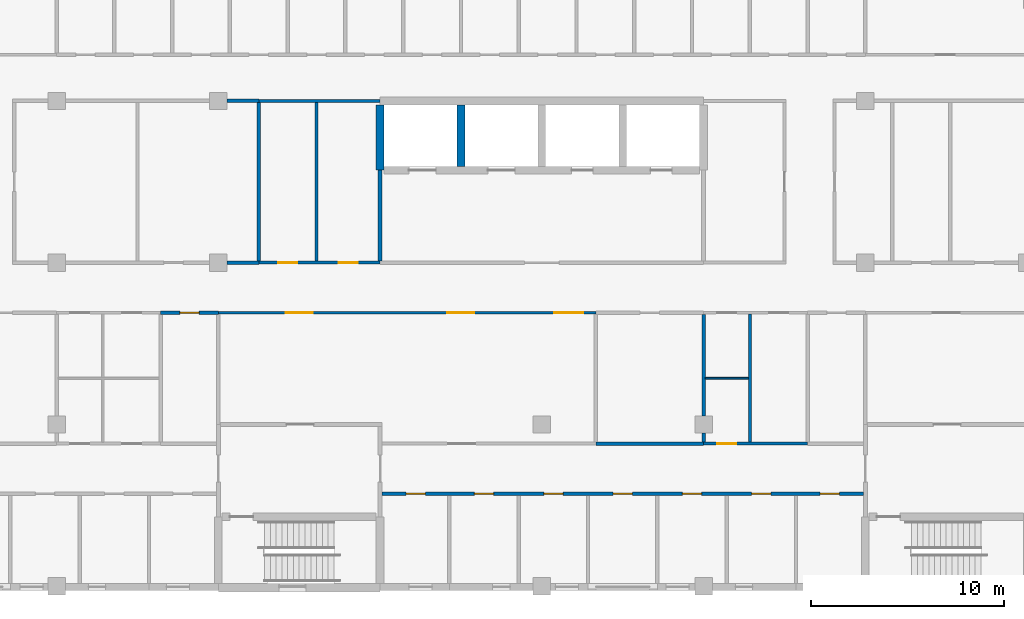
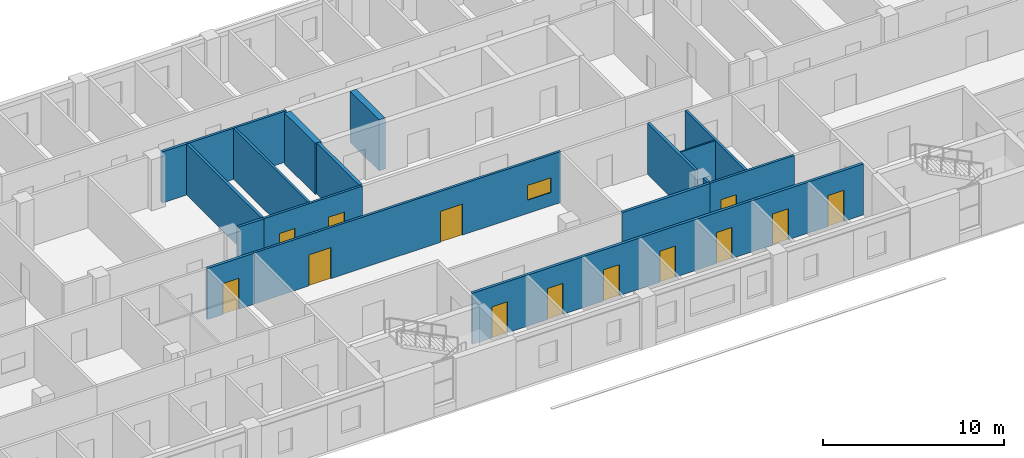
# One storey, part 59 of 94: 18 walls, 13 doors, 1 window, 14 openings.
"""IFC4 building model written with IfcOpenShell, lengths in metres."""

from ifc_helpers import new_model, si_unit, direction, frame, frame_2d, origin, place, context, subcontext, project, spatial, rectangle, extrude, material, layer, layer_set, type_object, element, fill, save


model = new_model("IFC4")

# Units and contexts
model_context = context("Model", 3, precision=1e-05, world=origin(), true_north=direction((0.0, 1.0)))
body_context = subcontext(model_context, "Body", "Model", "MODEL_VIEW")
ifc_project = project(units=[si_unit("LENGTHUNIT", "METRE"), si_unit("AREAUNIT", "SQUARE_METRE"), si_unit("VOLUMEUNIT", "CUBIC_METRE"), si_unit("PLANEANGLEUNIT", "RADIAN"), si_unit("MASSUNIT", "GRAM", prefix="KILO")], contexts=[model_context])

# Site, building, storey
site_placement = place(None, origin())
site = spatial("IfcSite", under=ifc_project, at=site_placement, CompositionType="ELEMENT")
building_placement = place(site_placement, origin())
building = spatial("IfcBuilding", under=site, at=building_placement, Name="Yavir Park General Hospital", CompositionType="ELEMENT")
storey_placement = place(building_placement, frame((0.0, 0.0, 4.5)))
storey = spatial("IfcBuildingStorey", under=building, at=storey_placement, Name="L01", CompositionType="ELEMENT", Elevation=4.5)

# Wall, openings, doors
ifc_material_1 = material(Name="Double-leaf gypsum board acoustic partition on staggered studs")
ifc_layer_1 = layer(ifc_material_1, 0.175048828125)
ifc_layer_set_1 = layer_set([ifc_layer_1], Name="Double-leaf gypsum board acoustic partition on staggered studs")
wall_type_1 = type_object("IfcWallType", Name="Acoustic partition 175", PredefinedType="PARTITIONING", material=ifc_layer_set_1)
wall_1_placement = place(storey_placement, frame((75.699951171875, 4.800048828125, 0.0), z_axis=(0.0, 0.0, 1.0), x_axis=(1.0, 0.0, 0.0)))
wall_1 = element("IfcWall", 1, at=wall_1_placement, inside=storey, type_object=wall_type_1, Name="AP175 L01-007", PredefinedType="PARTITIONING", context=body_context, shape_type="SweptSolid", body=[
    extrude(rectangle(XDim=25.0, YDim=0.175048828125, at=frame_2d((12.5, 0.0))), origin(), (0.0, 0.0, 1.0), 3.449951171875),
])
opening_1_placement = place(wall_1_placement, frame((1.25, 0.0, 0.0)))
opening_1 = element("IfcOpeningElement", 2, at=opening_1_placement, cuts=wall_1, Name="Opening L01.D013", PredefinedType="OPENING", context=body_context, shape_type="SweptSolid", body=[
    extrude(rectangle(XDim=1.0, YDim=2.10009765625, at=frame_2d((0.5, 1.050048828125))), frame((0.0, 0.097412109375, 0.0), z_axis=(0.0, -1.0, 0.0), x_axis=(1.0, 0.0, 0.0)), (0.0, 0.0, 1.0), 0.195068359375),
])
opening_2_placement = place(wall_1_placement, frame((4.800048828125, 0.0, 0.0)))
opening_2 = element("IfcOpeningElement", 3, at=opening_2_placement, cuts=wall_1, Name="Opening L01.D014", PredefinedType="OPENING", context=body_context, shape_type="SweptSolid", body=[
    extrude(rectangle(XDim=1.0, YDim=2.10009765625, at=frame_2d((0.5, 1.050048828125))), frame((0.0, 0.097412109375, 0.0), z_axis=(0.0, -1.0, 0.0), x_axis=(1.0, 0.0, 0.0)), (0.0, 0.0, 1.0), 0.195068359375),
])
opening_3_placement = place(wall_1_placement, frame((8.39990234375, 0.0, 0.0)))
opening_3 = element("IfcOpeningElement", 4, at=opening_3_placement, cuts=wall_1, Name="Opening L01.D015", PredefinedType="OPENING", context=body_context, shape_type="SweptSolid", body=[
    extrude(rectangle(XDim=1.0, YDim=2.10009765625, at=frame_2d((0.5, 1.050048828125))), frame((0.0, 0.097412109375, 0.0), z_axis=(0.0, -1.0, 0.0), x_axis=(1.0, 0.0, 0.0)), (0.0, 0.0, 1.0), 0.195068359375),
])
opening_4_placement = place(wall_1_placement, frame((12.0, 0.0, 0.0)))
opening_4 = element("IfcOpeningElement", 5, at=opening_4_placement, cuts=wall_1, Name="Opening L01.D016", PredefinedType="OPENING", context=body_context, shape_type="SweptSolid", body=[
    extrude(rectangle(XDim=1.0, YDim=2.10009765625, at=frame_2d((0.5, 1.050048828125))), frame((0.0, 0.097412109375, 0.0), z_axis=(0.0, -1.0, 0.0), x_axis=(1.0, 0.0, 0.0)), (0.0, 0.0, 1.0), 0.195068359375),
])
opening_5_placement = place(wall_1_placement, frame((15.60009765625, 0.0, 0.0)))
opening_5 = element("IfcOpeningElement", 6, at=opening_5_placement, cuts=wall_1, Name="Opening L01.D017", PredefinedType="OPENING", context=body_context, shape_type="SweptSolid", body=[
    extrude(rectangle(XDim=1.0, YDim=2.10009765625, at=frame_2d((0.5, 1.050048828125))), frame((0.0, 0.097412109375, 0.0), z_axis=(0.0, -1.0, 0.0), x_axis=(1.0, 0.0, 0.0)), (0.0, 0.0, 1.0), 0.195068359375),
])
opening_6_placement = place(wall_1_placement, frame((19.199951171875, 0.0, 0.0)))
opening_6 = element("IfcOpeningElement", 7, at=opening_6_placement, cuts=wall_1, Name="Opening L01.D018", PredefinedType="OPENING", context=body_context, shape_type="SweptSolid", body=[
    extrude(rectangle(XDim=1.0, YDim=2.10009765625, at=frame_2d((0.5, 1.050048828125))), frame((0.0, 0.097412109375, 0.0), z_axis=(0.0, -1.0, 0.0), x_axis=(1.0, 0.0, 0.0)), (0.0, 0.0, 1.0), 0.195068359375),
])
opening_7_placement = place(wall_1_placement, frame((22.75, 0.0, 0.0)))
opening_7 = element("IfcOpeningElement", 8, at=opening_7_placement, cuts=wall_1, Name="Opening L01.D019", PredefinedType="OPENING", context=body_context, shape_type="SweptSolid", body=[
    extrude(rectangle(XDim=1.0, YDim=2.10009765625, at=frame_2d((0.5, 1.050048828125))), frame((0.0, 0.097412109375, 0.0), z_axis=(0.0, -1.0, 0.0), x_axis=(1.0, 0.0, 0.0)), (0.0, 0.0, 1.0), 0.195068359375),
])
ifc_material_2 = material(Name="Sealed solid-core acoustic door leaf, Rw 42 dB")
door_type_1 = type_object("IfcDoorType", Name="Acoustic door 1000 x 2100", OperationType="SINGLE_SWING_LEFT", PredefinedType="DOOR", material=ifc_material_2)
door_1_placement = place(opening_1_placement, origin())
door_1 = element("IfcDoor", 9, at=door_1_placement, inside=storey, type_object=door_type_1, Name="L01.D013", OperationType="SINGLE_SWING_RIGHT", OverallHeight=2.10009765625, OverallWidth=1.0, PredefinedType="DOOR", context=body_context, shape_type="SweptSolid", body=[
    extrude(rectangle(XDim=1.0, YDim=2.10009765625, at=frame_2d((0.5, 1.050048828125))), frame((0.0, 0.03515625, 0.0), z_axis=(0.0, -1.0, 0.0), x_axis=(1.0, 0.0, 0.0)), (0.0, 0.0, 1.0), 0.070068359375),
])
fill(opening_1, door_1)
door_2_placement = place(opening_2_placement, origin())
door_2 = element("IfcDoor", 10, at=door_2_placement, inside=storey, type_object=door_type_1, Name="L01.D014", OperationType="SINGLE_SWING_LEFT", OverallHeight=2.10009765625, OverallWidth=1.0, PredefinedType="DOOR", context=body_context, shape_type="SweptSolid", body=[
    extrude(rectangle(XDim=1.0, YDim=2.10009765625, at=frame_2d((0.5, 1.050048828125))), frame((0.0, 0.03515625, 0.0), z_axis=(0.0, -1.0, 0.0), x_axis=(1.0, 0.0, 0.0)), (0.0, 0.0, 1.0), 0.070068359375),
])
fill(opening_2, door_2)
door_3_placement = place(opening_3_placement, origin())
door_3 = element("IfcDoor", 11, at=door_3_placement, inside=storey, type_object=door_type_1, Name="L01.D015", OperationType="SINGLE_SWING_LEFT", OverallHeight=2.10009765625, OverallWidth=1.0, PredefinedType="DOOR", context=body_context, shape_type="SweptSolid", body=[
    extrude(rectangle(XDim=1.0, YDim=2.10009765625, at=frame_2d((0.5, 1.050048828125))), frame((0.0, 0.03515625, 0.0), z_axis=(0.0, -1.0, 0.0), x_axis=(1.0, 0.0, 0.0)), (0.0, 0.0, 1.0), 0.070068359375),
])
fill(opening_3, door_3)
door_4_placement = place(opening_4_placement, origin())
door_4 = element("IfcDoor", 12, at=door_4_placement, inside=storey, type_object=door_type_1, Name="L01.D016", OperationType="SINGLE_SWING_LEFT", OverallHeight=2.10009765625, OverallWidth=1.0, PredefinedType="DOOR", context=body_context, shape_type="SweptSolid", body=[
    extrude(rectangle(XDim=1.0, YDim=2.10009765625, at=frame_2d((0.5, 1.050048828125))), frame((0.0, 0.03515625, 0.0), z_axis=(0.0, -1.0, 0.0), x_axis=(1.0, 0.0, 0.0)), (0.0, 0.0, 1.0), 0.070068359375),
])
fill(opening_4, door_4)
door_5_placement = place(opening_5_placement, origin())
door_5 = element("IfcDoor", 13, at=door_5_placement, inside=storey, type_object=door_type_1, Name="L01.D017", OperationType="SINGLE_SWING_LEFT", OverallHeight=2.10009765625, OverallWidth=1.0, PredefinedType="DOOR", context=body_context, shape_type="SweptSolid", body=[
    extrude(rectangle(XDim=1.0, YDim=2.10009765625, at=frame_2d((0.5, 1.050048828125))), frame((0.0, 0.03515625, 0.0), z_axis=(0.0, -1.0, 0.0), x_axis=(1.0, 0.0, 0.0)), (0.0, 0.0, 1.0), 0.070068359375),
])
fill(opening_5, door_5)
door_6_placement = place(opening_6_placement, origin())
door_6 = element("IfcDoor", 14, at=door_6_placement, inside=storey, type_object=door_type_1, Name="L01.D018", OperationType="SINGLE_SWING_LEFT", OverallHeight=2.10009765625, OverallWidth=1.0, PredefinedType="DOOR", context=body_context, shape_type="SweptSolid", body=[
    extrude(rectangle(XDim=1.0, YDim=2.10009765625, at=frame_2d((0.5, 1.050048828125))), frame((0.0, 0.03515625, 0.0), z_axis=(0.0, -1.0, 0.0), x_axis=(1.0, 0.0, 0.0)), (0.0, 0.0, 1.0), 0.070068359375),
])
fill(opening_6, door_6)
door_7_placement = place(opening_7_placement, origin())
door_7 = element("IfcDoor", 15, at=door_7_placement, inside=storey, type_object=door_type_1, Name="L01.D019", OperationType="SINGLE_SWING_LEFT", OverallHeight=2.10009765625, OverallWidth=1.0, PredefinedType="DOOR", context=body_context, shape_type="SweptSolid", body=[
    extrude(rectangle(XDim=1.0, YDim=2.10009765625, at=frame_2d((0.5, 1.050048828125))), frame((0.0, 0.03515625, 0.0), z_axis=(0.0, -1.0, 0.0), x_axis=(1.0, 0.0, 0.0)), (0.0, 0.0, 1.0), 0.070068359375),
])
fill(opening_7, door_7)

# Wall
wall_2_placement = place(storey_placement, frame((86.800048828125, 7.39990234375, 0.0), z_axis=(0.0, 0.0, 1.0), x_axis=(1.0, 0.0, 0.0)))
element("IfcWall", 16, at=wall_2_placement, inside=storey, type_object=wall_type_1, Name="AP175 L01-021", PredefinedType="PARTITIONING", context=body_context, shape_type="SweptSolid", body=[
    extrude(rectangle(XDim=5.599853515625, YDim=0.175048828125, at=frame_2d((2.7998046875, 0.0))), origin(), (0.0, 0.0, 1.0), 3.449951171875),
])

# Wall, opening, door
wall_3_placement = place(storey_placement, frame((64.199951171875, 14.199951171875, 0.0), z_axis=(0.0, 0.0, 1.0), x_axis=(1.0, 0.0, 0.0)))
wall_3 = element("IfcWall", 17, at=wall_3_placement, inside=storey, type_object=wall_type_1, Name="AP175 L01-051", PredefinedType="PARTITIONING", context=body_context, shape_type="SweptSolid", body=[
    extrude(rectangle(XDim=3.0, YDim=0.175048828125, at=frame_2d((1.5, 0.0))), origin(), (0.0, 0.0, 1.0), 3.449951171875),
])
opening_8_placement = place(wall_3_placement, frame((1.0, 0.0, 0.0)))
opening_8 = element("IfcOpeningElement", 18, at=opening_8_placement, cuts=wall_3, Name="Opening L01.D065", PredefinedType="OPENING", context=body_context, shape_type="SweptSolid", body=[
    extrude(rectangle(XDim=1.0, YDim=2.10009765625, at=frame_2d((0.5, 1.050048828125))), frame((0.0, 0.097412109375, 0.0), z_axis=(0.0, -1.0, 0.0), x_axis=(1.0, 0.0, 0.0)), (0.0, 0.0, 1.0), 0.195068359375),
])
door_8_placement = place(opening_8_placement, origin())
door_8 = element("IfcDoor", 19, at=door_8_placement, inside=storey, type_object=door_type_1, Name="L01.D065", OperationType="SINGLE_SWING_LEFT", OverallHeight=2.10009765625, OverallWidth=1.0, PredefinedType="DOOR", context=body_context, shape_type="SweptSolid", body=[
    extrude(rectangle(XDim=1.0, YDim=2.10009765625, at=frame_2d((0.5, 1.050048828125))), frame((0.0, 0.03515625, 0.0), z_axis=(0.0, -1.0, 0.0), x_axis=(1.0, 0.0, 0.0)), (0.0, 0.0, 1.0), 0.070068359375),
])
fill(opening_8, door_8)

# Walls
for number, where, z_axis, x_axis, name in (
    (20, (67.64990234375, 16.800048828125, 0.0), (0.0, 0.0, 1.0), (1.0, 0.0, 0.0), "AP175 L01-075"),
    (21, (67.64990234375, 25.199951171875, 0.0), (0.0, 0.0, 1.0), (1.0, 0.0, 0.0), "AP175 L01-101"),
):
    element("IfcWall", number, at=place(storey_placement, frame(where, z_axis=z_axis, x_axis=x_axis)), inside=storey, type_object=wall_type_1, Name=name, PredefinedType="PARTITIONING", context=body_context, shape_type="SweptSolid", body=[
        extrude(rectangle(XDim=1.650146484375, YDim=0.175048828125, at=frame_2d((0.8251953125, 0.0))), origin(), (0.0, 0.0, 1.0), 3.449951171875),
    ])
wall_4_placement = place(storey_placement, frame((69.300048828125, 16.887451171875, 0.0), z_axis=(0.0, 0.0, 1.0), x_axis=(0.0, 1.0, 0.0)))
element("IfcWall", 22, at=wall_4_placement, inside=storey, type_object=wall_type_1, Name="AP175 L01-378", PredefinedType="PARTITIONING", context=body_context, shape_type="SweptSolid", body=[
    extrude(rectangle(XDim=8.22509765625, YDim=0.175048828125, at=frame_2d((4.112548828125, 0.0))), origin(), (0.0, 0.0, 1.0), 3.449951171875),
])
wall_5_placement = place(storey_placement, frame((92.39990234375, 7.487548828125, 0.0), z_axis=(0.0, 0.0, 1.0), x_axis=(0.0, 1.0, 0.0)))
element("IfcWall", 23, at=wall_5_placement, inside=storey, type_object=wall_type_1, Name="AP175 L01-400", PredefinedType="PARTITIONING", context=body_context, shape_type="SweptSolid", body=[
    extrude(rectangle(XDim=0.46240234375, YDim=0.175048828125, at=frame_2d((0.231201171875, 0.0))), origin(), (0.0, 0.0, 1.0), 3.449951171875),
])
wall_6_placement = place(storey_placement, frame((92.39990234375, 8.85009765625, 0.0), z_axis=(0.0, 0.0, 1.0), x_axis=(0.0, 1.0, 0.0)))
element("IfcWall", 24, at=wall_6_placement, inside=storey, type_object=wall_type_1, Name="AP175 L01-401", PredefinedType="PARTITIONING", context=body_context, shape_type="SweptSolid", body=[
    extrude(rectangle(XDim=5.262451171875, YDim=0.175048828125, at=frame_2d((2.63134765625, 0.0))), origin(), (0.0, 0.0, 1.0), 3.449951171875),
])
ifc_material_3 = material(Name="Double gypsum board fire partition on steel studs", Category="steel")
ifc_layer_2 = layer(ifc_material_3, 0.199951171875)
ifc_layer_set_2 = layer_set([ifc_layer_2], Name="Double gypsum board fire partition on steel studs")
wall_type_2 = type_object("IfcWallType", Name="Fire-rated partition 200, EI 60", PredefinedType="PARTITIONING", material=ifc_layer_set_2)
wall_7_placement = place(storey_placement, frame((75.60009765625, 16.89990234375, 0.0), z_axis=(0.0, 0.0, 1.0), x_axis=(0.0, 1.0, 0.0)))
element("IfcWall", 25, at=wall_7_placement, inside=storey, type_object=wall_type_2, Name="FP20 L01-384", PredefinedType="PARTITIONING", context=body_context, shape_type="SweptSolid", body=[
    extrude(rectangle(XDim=4.7001953125, YDim=0.199951171875, at=frame_2d((2.35009765625, 0.0))), origin(), (0.0, 0.0, 1.0), 3.449951171875),
])
ifc_material_4 = material(Name="Gypsum board partition on steel studs", Category="steel")
ifc_layer_3 = layer(ifc_material_4, 0.10009765625)
ifc_layer_set_3 = layer_set([ifc_layer_3], Name="Gypsum board partition on steel studs")
wall_type_3 = type_object("IfcWallType", Name="Gypsum board partition 100", PredefinedType="PARTITIONING", material=ifc_layer_set_3)
wall_8_placement = place(storey_placement, frame((92.487548828125, 10.800048828125, 0.0), z_axis=(0.0, 0.0, 1.0), x_axis=(1.0, 0.0, 0.0)))
element("IfcWall", 26, at=wall_8_placement, inside=storey, type_object=wall_type_3, Name="P10 L01-042", PredefinedType="PARTITIONING", context=body_context, shape_type="SweptSolid", body=[
    extrude(rectangle(XDim=2.237548828125, YDim=0.10009765625, at=frame_2d((1.11865234375, 0.0))), origin(), (0.0, 0.0, 1.0), 3.449951171875),
])

# Wall, opening, door
ifc_material_5 = material(Name="Gypsum board partition on steel studs", Category="steel")
ifc_layer_4 = layer(ifc_material_5, 0.14990234375)
ifc_layer_set_4 = layer_set([ifc_layer_4], Name="Gypsum board partition on steel studs")
wall_type_4 = type_object("IfcWallType", Name="Gypsum board partition 150", PredefinedType="PARTITIONING", material=ifc_layer_set_4)
wall_9_placement = place(storey_placement, frame((92.39990234375, 7.39990234375, 0.0), z_axis=(0.0, 0.0, 1.0), x_axis=(1.0, 0.0, 0.0)))
wall_9 = element("IfcWall", 27, at=wall_9_placement, inside=storey, type_object=wall_type_4, Name="P15 L01-022", PredefinedType="PARTITIONING", context=body_context, shape_type="SweptSolid", body=[
    extrude(rectangle(XDim=5.400146484375, YDim=0.14990234375, at=frame_2d((2.7001953125, 0.0))), origin(), (0.0, 0.0, 1.0), 3.449951171875),
])
opening_9_placement = place(wall_9_placement, frame((0.699951171875, 0.0, 0.0)))
opening_9 = element("IfcOpeningElement", 28, at=opening_9_placement, cuts=wall_9, Name="Opening L01.D041", PredefinedType="OPENING", context=body_context, shape_type="SweptSolid", body=[
    extrude(rectangle(XDim=1.0, YDim=2.10009765625, at=frame_2d((0.5, 1.050048828125))), frame((0.0, 0.0849609375, 0.0), z_axis=(0.0, -1.0, 0.0), x_axis=(1.0, 0.0, 0.0)), (0.0, 0.0, 1.0), 0.169921875),
])
ifc_material_6 = material(Name="Hollow metal frame, solid-core timber leaf", Category="wood")
door_type_2 = type_object("IfcDoorType", Name="Single swing door 1000 x 2100", OperationType="SINGLE_SWING_LEFT", PredefinedType="DOOR", material=ifc_material_6)
door_9_placement = place(opening_9_placement, origin())
door_9 = element("IfcDoor", 29, at=door_9_placement, inside=storey, type_object=door_type_2, Name="L01.D041", OperationType="SINGLE_SWING_RIGHT", OverallHeight=2.10009765625, OverallWidth=1.0, PredefinedType="DOOR", context=body_context, shape_type="SweptSolid", body=[
    extrude(rectangle(XDim=1.0, YDim=2.10009765625, at=frame_2d((0.5, 1.050048828125))), frame((0.0, 0.02490234375, 0.0), z_axis=(0.0, -1.0, 0.0), x_axis=(1.0, 0.0, 0.0)), (0.0, 0.0, 1.0), 0.050048828125),
])
fill(opening_9, door_9)

# Wall, openings, doors, window
wall_10_placement = place(storey_placement, frame((67.199951171875, 14.199951171875, 0.0), z_axis=(0.0, 0.0, 1.0), x_axis=(1.0, 0.0, 0.0)))
wall_10 = element("IfcWall", 30, at=wall_10_placement, inside=storey, type_object=wall_type_4, Name="P15 L01-052", PredefinedType="PARTITIONING", context=body_context, shape_type="SweptSolid", body=[
    extrude(rectangle(XDim=19.60009765625, YDim=0.14990234375, at=frame_2d((9.800048828125, 0.0))), origin(), (0.0, 0.0, 1.0), 3.449951171875),
])
opening_10_placement = place(wall_10_placement, frame((3.5, 0.0, 0.0)))
opening_10 = element("IfcOpeningElement", 31, at=opening_10_placement, cuts=wall_10, Name="Opening L01.D066", PredefinedType="OPENING", context=body_context, shape_type="SweptSolid", body=[
    extrude(rectangle(XDim=1.39990234375, YDim=2.10009765625, at=frame_2d((0.699951171875, 1.050048828125))), frame((0.0, 0.0849609375, 0.0), z_axis=(0.0, -1.0, 0.0), x_axis=(1.0, 0.0, 0.0)), (0.0, 0.0, 1.0), 0.169921875),
])
opening_11_placement = place(wall_10_placement, frame((11.89990234375, 0.0, 0.0)))
opening_11 = element("IfcOpeningElement", 32, at=opening_11_placement, cuts=wall_10, Name="Opening L01.D067", PredefinedType="OPENING", context=body_context, shape_type="SweptSolid", body=[
    extrude(rectangle(XDim=1.39990234375, YDim=2.10009765625, at=frame_2d((0.699951171875, 1.050048828125))), frame((0.0, 0.0849609375, 0.0), z_axis=(0.0, -1.0, 0.0), x_axis=(1.0, 0.0, 0.0)), (0.0, 0.0, 1.0), 0.169921875),
])
opening_12_placement = place(wall_10_placement, frame((17.449951171875, 0.0, 0.89990234375)))
opening_12 = element("IfcOpeningElement", 33, at=opening_12_placement, cuts=wall_10, Name="Opening L01.904", PredefinedType="OPENING", context=body_context, shape_type="SweptSolid", body=[
    extrude(rectangle(XDim=1.5, YDim=1.0, at=frame_2d((0.75, 0.5))), frame((0.0, 0.0849609375, 0.0), z_axis=(0.0, -1.0, 0.0), x_axis=(1.0, 0.0, 0.0)), (0.0, 0.0, 1.0), 0.169921875),
])
ifc_material_7 = material(Name="Hollow metal frame, solid-core timber leaf", Category="wood")
door_type_3 = type_object("IfcDoorType", Name="Double swing door 1400 x 2100", OperationType="DOUBLE_DOOR_SINGLE_SWING", PredefinedType="DOOR", material=ifc_material_7)
door_10_placement = place(opening_10_placement, origin())
door_10 = element("IfcDoor", 34, at=door_10_placement, inside=storey, type_object=door_type_3, Name="L01.D066", OperationType="SINGLE_SWING_LEFT", OverallHeight=2.10009765625, OverallWidth=1.39990234375, PredefinedType="DOOR", context=body_context, shape_type="SweptSolid", body=[
    extrude(rectangle(XDim=1.39990234375, YDim=2.10009765625, at=frame_2d((0.699951171875, 1.050048828125))), frame((0.0, 0.02490234375, 0.0), z_axis=(0.0, -1.0, 0.0), x_axis=(1.0, 0.0, 0.0)), (0.0, 0.0, 1.0), 0.050048828125),
])
fill(opening_10, door_10)
door_11_placement = place(opening_11_placement, origin())
door_11 = element("IfcDoor", 35, at=door_11_placement, inside=storey, type_object=door_type_3, Name="L01.D067", OperationType="SINGLE_SWING_LEFT", OverallHeight=2.10009765625, OverallWidth=1.39990234375, PredefinedType="DOOR", context=body_context, shape_type="SweptSolid", body=[
    extrude(rectangle(XDim=1.39990234375, YDim=2.10009765625, at=frame_2d((0.699951171875, 1.050048828125))), frame((0.0, 0.02490234375, 0.0), z_axis=(0.0, -1.0, 0.0), x_axis=(1.0, 0.0, 0.0)), (0.0, 0.0, 1.0), 0.050048828125),
])
fill(opening_11, door_11)
ifc_material_8 = material(Name="Toughened glass sliding panels, aluminium frame", Category="aluminium")
window_type = type_object("IfcWindowType", Name="Reception counter window 1500 x 1000", PartitioningType="DOUBLE_PANEL_HORIZONTAL", PredefinedType="WINDOW", material=ifc_material_8)
window_placement = place(opening_12_placement, origin())
window = element("IfcWindow", 36, at=window_placement, inside=storey, type_object=window_type, Name="L01.904", OverallHeight=1.0, OverallWidth=1.5, PartitioningType="DOUBLE_PANEL_HORIZONTAL", PredefinedType="WINDOW", context=body_context, shape_type="SweptSolid", body=[
    extrude(rectangle(XDim=1.5, YDim=1.0, at=frame_2d((0.75, 0.5))), frame((0.0, 0.02490234375, 0.0), z_axis=(0.0, -1.0, 0.0), x_axis=(1.0, 0.0, 0.0)), (0.0, 0.0, 1.0), 0.050048828125),
])
fill(opening_12, window)

# Wall, openings, doors
wall_11_placement = place(storey_placement, frame((69.300048828125, 16.800048828125, 0.0), z_axis=(0.0, 0.0, 1.0), x_axis=(1.0, 0.0, 0.0)))
wall_11 = element("IfcWall", 37, at=wall_11_placement, inside=storey, type_object=wall_type_4, Name="P15 L01-076", PredefinedType="PARTITIONING", context=body_context, shape_type="SweptSolid", body=[
    extrude(rectangle(XDim=6.300048828125, YDim=0.14990234375, at=frame_2d((3.14990234375, 0.0))), origin(), (0.0, 0.0, 1.0), 3.449951171875),
])
opening_13_placement = place(wall_11_placement, frame((1.0, 0.0, 0.0)))
opening_13 = element("IfcOpeningElement", 38, at=opening_13_placement, cuts=wall_11, Name="Opening L01.D088", PredefinedType="OPENING", context=body_context, shape_type="SweptSolid", body=[
    extrude(rectangle(XDim=1.0, YDim=2.10009765625, at=frame_2d((0.5, 1.050048828125))), frame((0.0, 0.0849609375, 0.0), z_axis=(0.0, -1.0, 0.0), x_axis=(1.0, 0.0, 0.0)), (0.0, 0.0, 1.0), 0.169921875),
])
opening_14_placement = place(wall_11_placement, frame((4.14990234375, 0.0, 0.0)))
opening_14 = element("IfcOpeningElement", 39, at=opening_14_placement, cuts=wall_11, Name="Opening L01.D089", PredefinedType="OPENING", context=body_context, shape_type="SweptSolid", body=[
    extrude(rectangle(XDim=1.0, YDim=2.10009765625, at=frame_2d((0.5, 1.050048828125))), frame((0.0, 0.0849609375, 0.0), z_axis=(0.0, -1.0, 0.0), x_axis=(1.0, 0.0, 0.0)), (0.0, 0.0, 1.0), 0.169921875),
])
door_12_placement = place(opening_13_placement, origin())
door_12 = element("IfcDoor", 40, at=door_12_placement, inside=storey, type_object=door_type_2, Name="L01.D088", OperationType="SINGLE_SWING_RIGHT", OverallHeight=2.10009765625, OverallWidth=1.0, PredefinedType="DOOR", context=body_context, shape_type="SweptSolid", body=[
    extrude(rectangle(XDim=1.0, YDim=2.10009765625, at=frame_2d((0.5, 1.050048828125))), frame((0.0, 0.02490234375, 0.0), z_axis=(0.0, -1.0, 0.0), x_axis=(1.0, 0.0, 0.0)), (0.0, 0.0, 1.0), 0.050048828125),
])
fill(opening_13, door_12)
door_13_placement = place(opening_14_placement, origin())
door_13 = element("IfcDoor", 41, at=door_13_placement, inside=storey, type_object=door_type_2, Name="L01.D089", OperationType="SINGLE_SWING_RIGHT", OverallHeight=2.10009765625, OverallWidth=1.0, PredefinedType="DOOR", context=body_context, shape_type="SweptSolid", body=[
    extrude(rectangle(XDim=1.0, YDim=2.10009765625, at=frame_2d((0.5, 1.050048828125))), frame((0.0, 0.02490234375, 0.0), z_axis=(0.0, -1.0, 0.0), x_axis=(1.0, 0.0, 0.0)), (0.0, 0.0, 1.0), 0.050048828125),
])
fill(opening_14, door_13)

# Walls
wall_12_placement = place(storey_placement, frame((69.300048828125, 25.199951171875, 0.0), z_axis=(0.0, 0.0, 1.0), x_axis=(1.0, 0.0, 0.0)))
element("IfcWall", 42, at=wall_12_placement, inside=storey, type_object=wall_type_4, Name="P15 L01-102", PredefinedType="PARTITIONING", context=body_context, shape_type="SweptSolid", body=[
    extrude(rectangle(XDim=6.300048828125, YDim=0.14990234375, at=frame_2d((3.14990234375, 0.0))), origin(), (0.0, 0.0, 1.0), 3.449951171875),
])
wall_13_placement = place(storey_placement, frame((72.300048828125, 16.875, 0.0), z_axis=(0.0, 0.0, 1.0), x_axis=(0.0, 1.0, 0.0)))
element("IfcWall", 43, at=wall_13_placement, inside=storey, type_object=wall_type_4, Name="P15 L01-380", PredefinedType="PARTITIONING", context=body_context, shape_type="SweptSolid", body=[
    extrude(rectangle(XDim=8.25, YDim=0.14990234375, at=frame_2d((4.125, 0.0))), origin(), (0.0, 0.0, 1.0), 3.449951171875),
])
wall_14_placement = place(storey_placement, frame((94.800048828125, 7.47509765625, 0.0), z_axis=(0.0, 0.0, 1.0), x_axis=(0.0, 1.0, 0.0)))
element("IfcWall", 44, at=wall_14_placement, inside=storey, type_object=wall_type_4, Name="P15 L01-405", PredefinedType="PARTITIONING", context=body_context, shape_type="SweptSolid", body=[
    extrude(rectangle(XDim=6.64990234375, YDim=0.14990234375, at=frame_2d((3.324951171875, 0.0))), origin(), (0.0, 0.0, 1.0), 3.449951171875),
])
ifc_material_9 = material(Name="Concrete C35/45", Category="concrete")
ifc_layer_5 = layer(ifc_material_9, 0.39990234375)
ifc_layer_set_5 = layer_set([ifc_layer_5], Name="Concrete C35/45")
wall_type_5 = type_object("IfcWallType", Name="Reinforced concrete core wall 400, REI 150", PredefinedType="SHEAR", material=ifc_layer_set_5)
wall_15_placement = place(storey_placement, frame((75.60009765625, 21.60009765625, 0.0), z_axis=(0.0, 0.0, 1.0), x_axis=(0.0, 1.0, 0.0)))
element("IfcWall", 45, at=wall_15_placement, inside=storey, type_object=wall_type_5, Name="CW40 L01-385", PredefinedType="SHEAR", context=body_context, shape_type="SweptSolid", body=[
    extrude(rectangle(XDim=3.39990234375, YDim=0.39990234375, at=frame_2d((1.699951171875, 0.0))), origin(), (0.0, 0.0, 1.0), 3.449951171875),
])
wall_16_placement = place(storey_placement, frame((79.800048828125, 21.800048828125, 0.0), z_axis=(0.0, 0.0, 1.0), x_axis=(0.0, 1.0, 0.0)))
element("IfcWall", 46, at=wall_16_placement, inside=storey, type_object=wall_type_5, Name="CW40 L01-388", PredefinedType="SHEAR", context=body_context, shape_type="SweptSolid", body=[
    extrude(rectangle(XDim=3.199951171875, YDim=0.39990234375, at=frame_2d((1.60009765625, 0.0))), origin(), (0.0, 0.0, 1.0), 3.449951171875),
])

save(model, "model.ifc")
